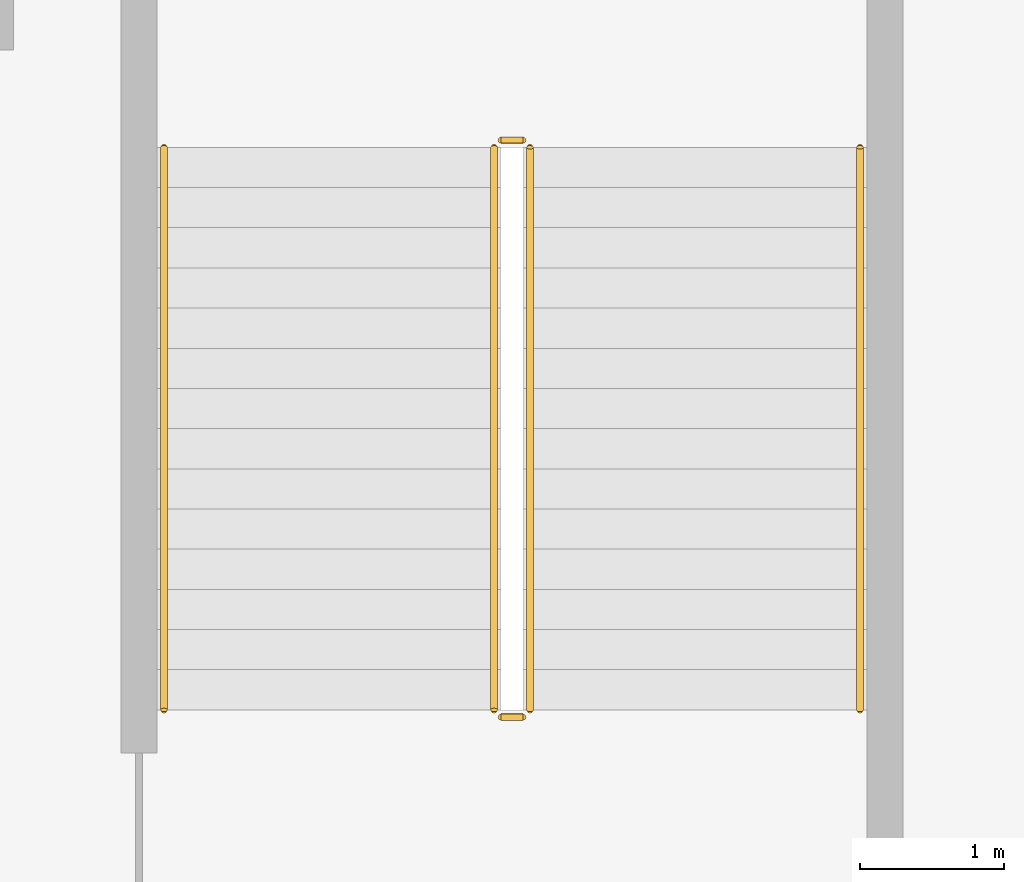
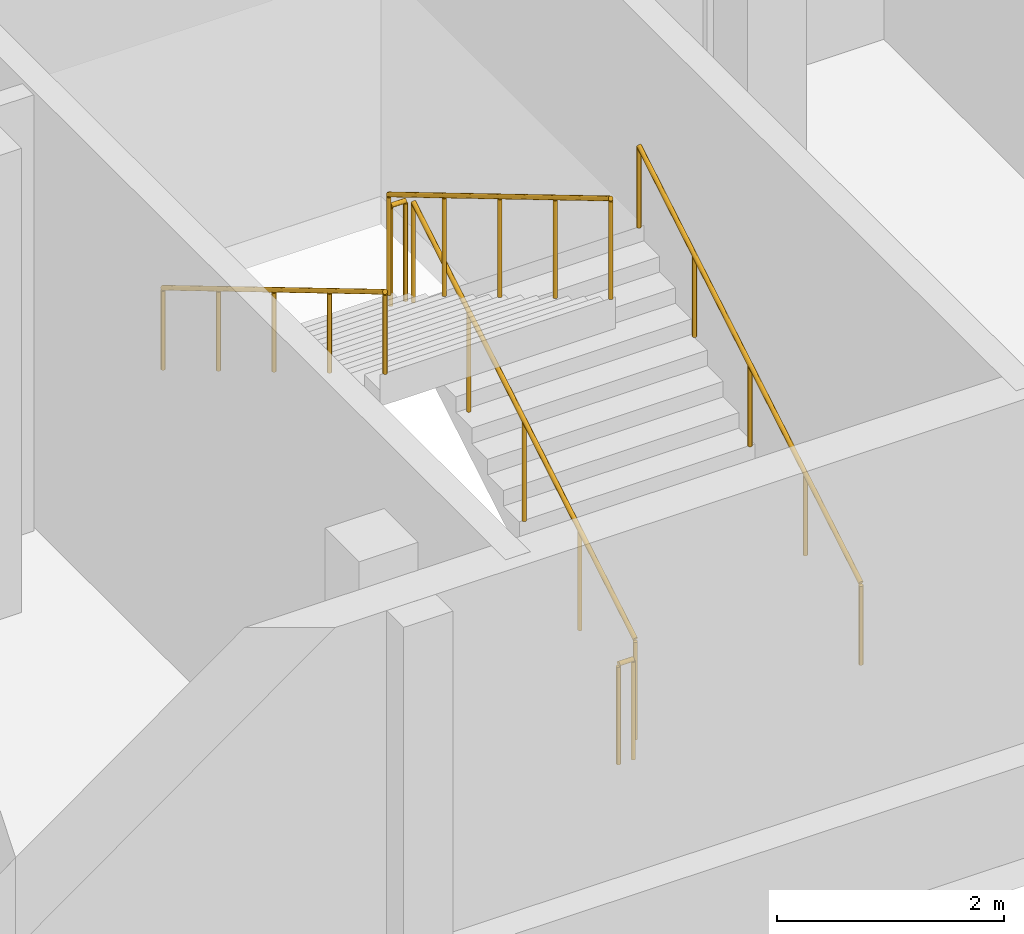
# One storey, part 28 of 32: 6 railings.
"""IFC4 building model written with IfcOpenShell, lengths in metres."""

from ifc_helpers import new_model, si_unit, direction, frame, origin, origin_2d, place, context, subcontext, project, spatial, circle, extrude, material, type_object, element, save


model = new_model("IFC4")

# Units and contexts
model_context = context("Model", 3, precision=1e-05, world=origin(), true_north=direction((0.0, 1.0)))
body_context = subcontext(model_context, "Body", "Model", "MODEL_VIEW")
ifc_project = project(units=[si_unit("LENGTHUNIT", "METRE"), si_unit("AREAUNIT", "SQUARE_METRE"), si_unit("VOLUMEUNIT", "CUBIC_METRE"), si_unit("PLANEANGLEUNIT", "RADIAN"), si_unit("MASSUNIT", "GRAM", prefix="KILO")], contexts=[model_context])

# Site, building, storey
site_placement = place(None, origin())
site = spatial("IfcSite", under=ifc_project, at=site_placement, CompositionType="ELEMENT")
building_placement = place(site_placement, origin())
building = spatial("IfcBuilding", under=site, at=building_placement, Name="Tamorin Gate", CompositionType="ELEMENT")
storey_placement = place(building_placement, frame((0.0, 0.0, 13.5)))
storey = spatial("IfcBuildingStorey", under=building, at=storey_placement, Name="L02", CompositionType="ELEMENT", Elevation=13.5)

# Railings
ifc_material = material(Name="Steel, galvanised", Category="steel")
railing_type_1 = type_object("IfcRailingType", Name="Steel guard 1100 museum", PredefinedType="GUARDRAIL", material=ifc_material)
railing_1_placement = place(storey_placement, frame((197.60009765625, 57.800048828125, 0.166748046875)))
element("IfcRailing", 1, at=railing_1_placement, inside=storey, type_object=railing_type_1, Name="L02 PS7 stair guard 1", PredefinedType="GUARDRAIL", context=body_context, shape_type="SweptSolid", body=[
    extrude(circle(Radius=0.02392578125, at=origin_2d()), frame((0.0, 0.0, 1.076171875), z_axis=(0.0, 0.859296244711, 0.511478214419), x_axis=(-1.0, 0.0, 0.0)), (0.0, 0.0, 1.0), 4.561767578125),
    extrude(circle(Radius=0.02099609375, at=origin_2d()), origin(), (0.0, 0.0, 1.0), 1.052001953125),
    extrude(circle(Radius=0.02099609375, at=origin_2d()), frame((0.0, 0.97998046875, 0.583251953125)), (0.0, 0.0, 1.0), 1.052001953125),
    extrude(circle(Radius=0.02099609375, at=origin_2d()), frame((0.0, 1.9599609375, 1.16650390625)), (0.0, 0.0, 1.0), 1.052001953125),
    extrude(circle(Radius=0.02099609375, at=origin_2d()), frame((0.0, 2.93994140625, 1.75)), (0.0, 0.0, 1.0), 1.052001953125),
    extrude(circle(Radius=0.02099609375, at=origin_2d()), frame((0.0, 3.919921875, 2.333251953125)), (0.0, 0.0, 1.0), 1.052001953125),
])
railing_2_placement = place(storey_placement, frame((197.550048828125, 61.77001953125, 2.5)))
element("IfcRailing", 2, at=railing_2_placement, inside=storey, type_object=railing_type_1, Name="L02 PS7 stair guard 2", PredefinedType="GUARDRAIL", context=body_context, shape_type="SweptSolid", body=[
    extrude(circle(Radius=0.02392578125, at=origin_2d()), frame((0.0, 0.0, 1.076171875), z_axis=(-1.0, 0.0, 0.0), x_axis=(0.0, -1.0, 0.0)), (0.0, 0.0, 1.0), 0.150146484375),
    extrude(circle(Radius=0.02099609375, at=origin_2d()), origin(), (0.0, 0.0, 1.0), 1.052001953125),
    extrude(circle(Radius=0.02099609375, at=origin_2d()), frame((-0.150146484375, 0.0, 0.0)), (0.0, 0.0, 1.0), 1.052001953125),
])
railing_3_placement = place(storey_placement, frame((197.35009765625, 61.719970703125, 2.666748046875)))
element("IfcRailing", 3, at=railing_3_placement, inside=storey, type_object=railing_type_1, Name="L02 PS7 stair guard 3", PredefinedType="GUARDRAIL", context=body_context, shape_type="SweptSolid", body=[
    extrude(circle(Radius=0.02392578125, at=origin_2d()), frame((0.0, 0.0, 1.076171875), z_axis=(0.0, -0.859296244711, 0.511478214419), x_axis=(1.0, 0.0, 0.0)), (0.0, 0.0, 1.0), 4.561767578125),
    extrude(circle(Radius=0.02099609375, at=origin_2d()), origin(), (0.0, 0.0, 1.0), 1.052001953125),
    extrude(circle(Radius=0.02099609375, at=origin_2d()), frame((0.0, -0.97998046875, 0.583251953125)), (0.0, 0.0, 1.0), 1.052001953125),
    extrude(circle(Radius=0.02099609375, at=origin_2d()), frame((0.0, -1.9599609375, 1.16650390625)), (0.0, 0.0, 1.0), 1.052001953125),
    extrude(circle(Radius=0.02099609375, at=origin_2d()), frame((0.0, -2.93994140625, 1.75)), (0.0, 0.0, 1.0), 1.052001953125),
    extrude(circle(Radius=0.02099609375, at=origin_2d()), frame((0.0, -3.919921875, 2.333251953125)), (0.0, 0.0, 1.0), 1.052001953125),
])
railing_4_placement = place(storey_placement, frame((197.550048828125, 57.75, 0.0)))
element("IfcRailing", 4, at=railing_4_placement, inside=storey, type_object=railing_type_1, Name="L02 PS7 stair guard 4", PredefinedType="GUARDRAIL", context=body_context, shape_type="SweptSolid", body=[
    extrude(circle(Radius=0.02392578125, at=origin_2d()), frame((0.0, 0.0, 1.076171875), z_axis=(-1.0, 0.0, 0.0), x_axis=(0.0, -1.0, 0.0)), (0.0, 0.0, 1.0), 0.150146484375),
    extrude(circle(Radius=0.02099609375, at=origin_2d()), origin(), (0.0, 0.0, 1.0), 1.052001953125),
    extrude(circle(Radius=0.02099609375, at=origin_2d()), frame((-0.150146484375, 0.0, 0.0)), (0.0, 0.0, 1.0), 1.052001953125),
])
railing_type_2 = type_object("IfcRailingType", Name="Steel handrail 900 museum", PredefinedType="HANDRAIL", material=ifc_material)
railing_5_placement = place(storey_placement, frame((199.89990234375, 57.800048828125, 0.166748046875)))
element("IfcRailing", 5, at=railing_5_placement, inside=storey, type_object=railing_type_2, Name="L02 PS7 stair handrail 1", PredefinedType="HANDRAIL", context=body_context, shape_type="SweptSolid", body=[
    extrude(circle(Radius=0.02392578125, at=origin_2d()), frame((0.0, 0.0, 0.8759765625), z_axis=(0.0, 0.859296244711, 0.511478214419), x_axis=(-1.0, 0.0, 0.0)), (0.0, 0.0, 1.0), 4.561767578125),
    extrude(circle(Radius=0.02099609375, at=origin_2d()), origin(), (0.0, 0.0, 1.0), 0.851806640625),
    extrude(circle(Radius=0.02099609375, at=origin_2d()), frame((0.0, 0.97998046875, 0.583251953125)), (0.0, 0.0, 1.0), 0.851806640625),
    extrude(circle(Radius=0.02099609375, at=origin_2d()), frame((0.0, 1.9599609375, 1.16650390625)), (0.0, 0.0, 1.0), 0.851806640625),
    extrude(circle(Radius=0.02099609375, at=origin_2d()), frame((0.0, 2.93994140625, 1.75)), (0.0, 0.0, 1.0), 0.851806640625),
    extrude(circle(Radius=0.02099609375, at=origin_2d()), frame((0.0, 3.919921875, 2.333251953125)), (0.0, 0.0, 1.0), 0.851806640625),
])
railing_6_placement = place(storey_placement, frame((195.050048828125, 61.719970703125, 2.666748046875)))
element("IfcRailing", 6, at=railing_6_placement, inside=storey, type_object=railing_type_2, Name="L02 PS7 stair handrail 2", PredefinedType="HANDRAIL", context=body_context, shape_type="SweptSolid", body=[
    extrude(circle(Radius=0.02392578125, at=origin_2d()), frame((0.0, 0.0, 0.8759765625), z_axis=(0.0, -0.859296244711, 0.511478214419), x_axis=(1.0, 0.0, 0.0)), (0.0, 0.0, 1.0), 4.561767578125),
    extrude(circle(Radius=0.02099609375, at=origin_2d()), origin(), (0.0, 0.0, 1.0), 0.851806640625),
    extrude(circle(Radius=0.02099609375, at=origin_2d()), frame((0.0, -0.97998046875, 0.583251953125)), (0.0, 0.0, 1.0), 0.851806640625),
    extrude(circle(Radius=0.02099609375, at=origin_2d()), frame((0.0, -1.9599609375, 1.16650390625)), (0.0, 0.0, 1.0), 0.851806640625),
    extrude(circle(Radius=0.02099609375, at=origin_2d()), frame((0.0, -2.93994140625, 1.75)), (0.0, 0.0, 1.0), 0.851806640625),
    extrude(circle(Radius=0.02099609375, at=origin_2d()), frame((0.0, -3.919921875, 2.333251953125)), (0.0, 0.0, 1.0), 0.851806640625),
])

save(model, "model.ifc")
